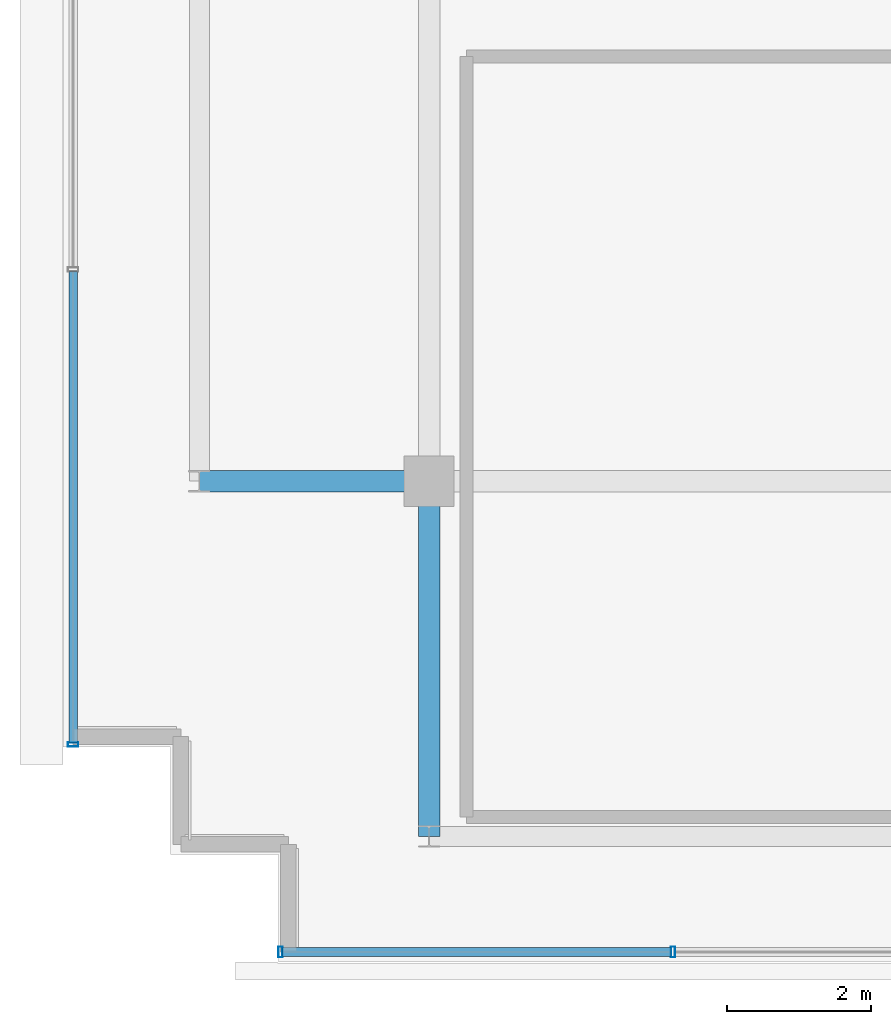
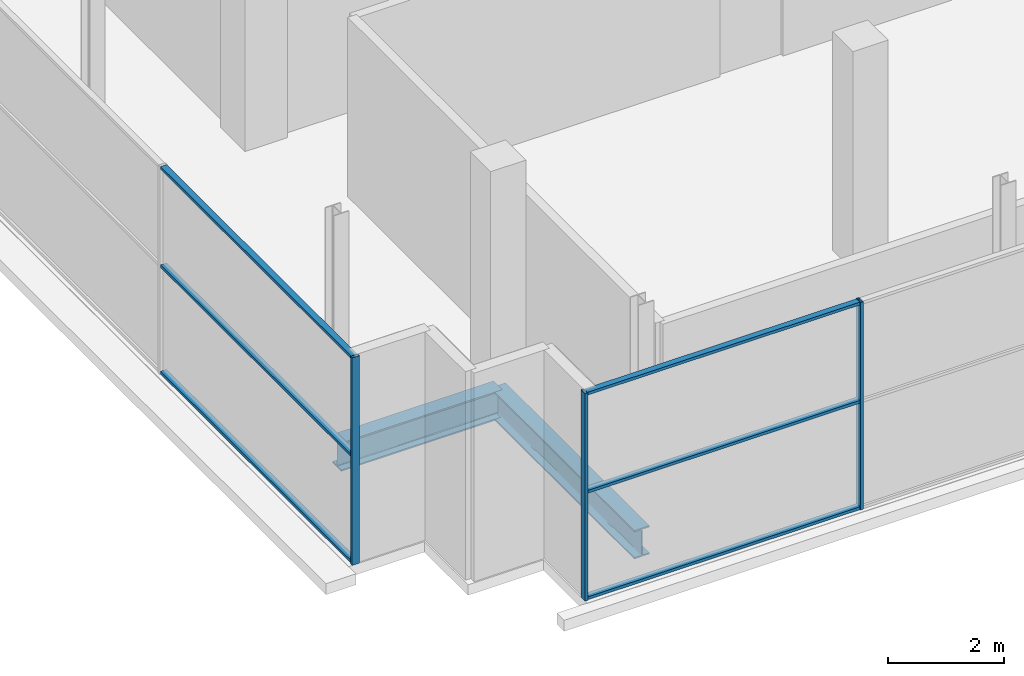
# One storey, part 3 of 26: 9 members, 2 beams, 2 elements without a shape of their own.
"""IFC4 building model written with IfcOpenShell, lengths in metres."""

import ifcopenshell
import ifcopenshell.guid

model = None  # the IFC model being written
_history = None  # IfcOwnerHistory: only IFC2X3 demands one
_inside = {}  # id of a spatial element -> (the spatial element, [elements in it])
_under = {}  # id of a project, library or spatial element -> (it, [spatial elements below it])
_declared = {}  # id of a project -> (the project, [libraries it declares])
_typed = {}  # id of a type object -> (the type object, [elements of that type])
_made_of = {}  # id of a material, layer set ... -> (it, [elements and type objects made of it])


def new_model(schema):
    """Start an empty IFC model of exactly this schema.

    Asked for "IFC4X3", IfcOpenShell would pick the latest addendum, in which some entities
    have other attributes; the version numbers below select the first issue.
    IFC2X3 requires an IfcOwnerHistory on every rooted entity: one is made here for all.
    """
    global model, _history
    if schema == "IFC4X3":
        model = ifcopenshell.file(schema_version=(4, 3, 0, 0))
    else:
        model = ifcopenshell.file(schema=schema)
    _inside.clear()
    _under.clear()
    _declared.clear()
    _typed.clear()
    _made_of.clear()
    _history = None
    if model.schema == "IFC2X3":
        org = make("IfcOrganization", Name="unknown")
        user = make(
            "IfcPersonAndOrganization",
            ThePerson=make("IfcPerson", FamilyName="unknown"),
            TheOrganization=org,
        )
        app = make(
            "IfcApplication",
            ApplicationDeveloper=org,
            Version="unknown",
            ApplicationFullName="unknown",
            ApplicationIdentifier="unknown",
        )
        _history = make(
            "IfcOwnerHistory",
            OwningUser=user,
            OwningApplication=app,
            ChangeAction="ADDED",
            CreationDate=0,
        )
    return model


def make(cls, **values):
    """One entity of the class cls with the attributes given. An attribute that is None is left unset."""
    return model.create_entity(
        cls, **{name: value for name, value in values.items() if value is not None}
    )


def rooted(cls, **values):
    """An entity with a GlobalId (a new one), such as an element, a storey or a relation."""
    return make(cls, GlobalId=ifcopenshell.guid.new(), OwnerHistory=_history, **values)


def si_unit(unit_type, name, prefix=None):
    """IfcSIUnit, for example si_unit("LENGTHUNIT", "METRE", prefix="MILLI")."""
    return make("IfcSIUnit", UnitType=unit_type, Prefix=prefix, Name=name)


def assignment(units):
    """IfcUnitAssignment: the units of a project."""
    return None if units is None else make("IfcUnitAssignment", Units=units)


def point(xyz):
    """IfcCartesianPoint."""
    return None if xyz is None else make("IfcCartesianPoint", Coordinates=xyz)


def direction(xyz):
    """IfcDirection."""
    return None if xyz is None else make("IfcDirection", DirectionRatios=xyz)


def frame(location, z_axis=None, x_axis=None):
    """IfcAxis2Placement3D, a coordinate frame: its origin and axes. An axis left out is left unset."""
    return make(
        "IfcAxis2Placement3D",
        Location=point(location),
        Axis=direction(z_axis),
        RefDirection=direction(x_axis),
    )


def frame_2d(location, x_axis=None):
    """IfcAxis2Placement2D, a coordinate frame in the plane: its origin and x axis."""
    return make(
        "IfcAxis2Placement2D", Location=point(location), RefDirection=direction(x_axis)
    )


def origin():
    """The frame at (0, 0, 0) with its axes left unset."""
    return frame((0.0, 0.0, 0.0))


def origin_2d():
    """The frame at (0, 0) in the plane with its x axis left unset."""
    return frame_2d((0.0, 0.0))


def place(relative_to, where):
    """IfcLocalPlacement: puts the frame where relative to a parent placement (None: the world)."""
    return make(
        "IfcLocalPlacement", PlacementRelTo=relative_to, RelativePlacement=where
    )


def context(
    kind, dimensions, precision=None, world=None, true_north=None, identifier=None
):
    """IfcGeometricRepresentationContext, for example the 3D "Model" context."""
    return make(
        "IfcGeometricRepresentationContext",
        ContextIdentifier=identifier,
        ContextType=kind,
        CoordinateSpaceDimension=dimensions,
        Precision=precision,
        WorldCoordinateSystem=world,
        TrueNorth=true_north,
    )


def subcontext(parent, identifier, kind, view, scale=None):
    """IfcGeometricRepresentationSubContext, for example "Body" below "Model"."""
    return make(
        "IfcGeometricRepresentationSubContext",
        ContextIdentifier=identifier,
        ContextType=kind,
        ParentContext=parent,
        TargetScale=scale,
        TargetView=view,
    )


def project(units=None, contexts=None):
    """IfcProject with its units and contexts."""
    return rooted(
        "IfcProject",
        Name="project",
        RepresentationContexts=contexts,
        UnitsInContext=assignment(units),
    )


def spatial(cls, under=None, at=None, **own):
    """A site, building, storey or space (cls), placed at a placement, below another one or the project."""
    s = rooted(cls, ObjectPlacement=at, **own)
    if under is not None:
        _under.setdefault(under.id(), (under, []))[1].append(s)
    return s


def profile(cls, at=None, kind="AREA", **sizes):
    """A parametric profile (cls). Its sizes go by their IFC names, for example OverallWidth=200.0."""
    return make(cls, ProfileType=kind, Position=at, **sizes)


def hollow_rectangle(**sizes):
    """IfcRectangleHollowProfileDef."""
    return profile("IfcRectangleHollowProfileDef", **sizes)


def i_section(**sizes):
    """IfcIShapeProfileDef."""
    return profile("IfcIShapeProfileDef", **sizes)


def extrude(swept, where, along, depth):
    """IfcExtrudedAreaSolid: the profile swept, set in the frame where, extruded along a direction by depth."""
    return make(
        "IfcExtrudedAreaSolid",
        SweptArea=swept,
        Position=where,
        ExtrudedDirection=direction(along),
        Depth=depth,
    )


def shape(context_of_items, identifier, shape_type, items):
    """IfcShapeRepresentation: the items that make up one representation, for example the "Body"."""
    return make(
        "IfcShapeRepresentation",
        ContextOfItems=context_of_items,
        RepresentationIdentifier=identifier,
        RepresentationType=shape_type,
        Items=items,
    )


def source(mapping_origin, context_of_items, identifier, shape_type, items):
    """IfcRepresentationMap: a shape defined once, which mapped items show again and again."""
    return make(
        "IfcRepresentationMap",
        MappingOrigin=mapping_origin,
        MappedRepresentation=shape(context_of_items, identifier, shape_type, items),
    )


def transform(
    local_origin,
    x_axis=None,
    y_axis=None,
    z_axis=None,
    scale=None,
    scale2=None,
    scale3=None,
    uniform=True,
):
    """IfcCartesianTransformationOperator3D, or its non-uniform kind. x_axis, y_axis, z_axis: its Axis1, 2, 3."""
    if uniform:
        return make(
            "IfcCartesianTransformationOperator3D",
            Axis1=direction(x_axis),
            Axis2=direction(y_axis),
            LocalOrigin=point(local_origin),
            Scale=scale,
            Axis3=direction(z_axis),
        )
    return make(
        "IfcCartesianTransformationOperator3DnonUniform",
        Axis1=direction(x_axis),
        Axis2=direction(y_axis),
        LocalOrigin=point(local_origin),
        Scale=scale,
        Axis3=direction(z_axis),
        Scale2=scale2,
        Scale3=scale3,
    )


def mapped(mapping_source, mapping_target):
    """IfcMappedItem: shows the shape of a source again, moved by a transform."""
    return make(
        "IfcMappedItem", MappingSource=mapping_source, MappingTarget=mapping_target
    )


def material(Name=None, Category=None):
    """IfcMaterial."""
    return make("IfcMaterial", Name=Name, Category=Category)


def layer(
    of_material, thickness, ventilated=None, Name=None, Category=None, Priority=None
):
    """IfcMaterialLayer: one layer of a wall or slab, of a material (None: an air gap)."""
    return make(
        "IfcMaterialLayer",
        Material=of_material,
        LayerThickness=thickness,
        IsVentilated=ventilated,
        Name=Name,
        Category=Category,
        Priority=Priority,
    )


def layer_set(layers, Name=None):
    """IfcMaterialLayerSet."""
    return make("IfcMaterialLayerSet", MaterialLayers=layers, LayerSetName=Name)


def material_profile(
    of_material, cross_section, Name=None, Category=None, Priority=None
):
    """IfcMaterialProfile: a cross section and its material."""
    return make(
        "IfcMaterialProfile",
        Name=Name,
        Material=of_material,
        Profile=cross_section,
        Priority=Priority,
        Category=Category,
    )


def profile_set(profiles, Name=None, composite=None):
    """IfcMaterialProfileSet."""
    return make(
        "IfcMaterialProfileSet",
        Name=Name,
        MaterialProfiles=profiles,
        CompositeProfile=composite,
    )


def made_of(thing, what):
    """Note that an element or type object is made of a material, layer set ...; save() writes the relation."""
    if what is not None:
        _made_of.setdefault(what.id(), (what, []))[1].append(thing)
    return thing


def type_object(cls, material=None, **own):
    """A type object (cls), such as IfcWallType, which elements share."""
    return made_of(rooted(cls, **own), material)


def element(
    cls,
    number,
    at=None,
    inside=None,
    cuts=None,
    type_object=None,
    material=None,
    context=None,
    identifier="Body",
    shape_type=None,
    held_by="IfcProductDefinitionShape",
    body=None,
    shapes=None,
    **own,
):
    """One element of the class cls, such as IfcWall. Its Tag is "e" and its number.

    at: its placement. inside: the storey or other place that contains it. cuts: it is an
    opening in that element (IfcRelVoidsElement). A single representation is given by context,
    identifier, shape_type and body (its items); several are given by shapes. held_by: the class
    of the entity that holds the representations. save() writes the other relations.
    """
    e = rooted(cls, Tag="e%d" % number, ObjectPlacement=at, **own)
    if body is not None:
        shapes = [shape(context, identifier, shape_type, body)]
    if shapes is not None:
        e.Representation = make(held_by, Representations=shapes)
    if inside is not None:
        _inside.setdefault(inside.id(), (inside, []))[1].append(e)
    if cuts is not None:
        rooted(
            "IfcRelVoidsElement", RelatingBuildingElement=cuts, RelatedOpeningElement=e
        )
    if type_object is not None:
        _typed.setdefault(type_object.id(), (type_object, []))[1].append(e)
    return made_of(e, material)


def aggregate(whole, parts):
    """IfcRelAggregates: a whole, such as a stair, and the parts it consists of."""
    return rooted("IfcRelAggregates", RelatingObject=whole, RelatedObjects=parts)


def save(model, path):
    """Write the relations noted so far, then the file.

    IfcRelAggregates (storeys below a building ...), IfcRelContainedInSpatialStructure (elements
    in a storey), IfcRelDefinesByType, IfcRelAssociatesMaterial and IfcRelDeclares: one each for
    every whole, place, type object, material and project.
    """
    for whole, parts in _under.values():
        aggregate(whole, parts)
    for where, things in _inside.values():
        rooted(
            "IfcRelContainedInSpatialStructure",
            RelatedElements=things,
            RelatingStructure=where,
        )
    for kind, things in _typed.values():
        rooted("IfcRelDefinesByType", RelatedObjects=things, RelatingType=kind)
    for what, things in _made_of.values():
        rooted("IfcRelAssociatesMaterial", RelatedObjects=things, RelatingMaterial=what)
    for by, libraries in _declared.values():
        rooted("IfcRelDeclares", RelatingContext=by, RelatedDefinitions=libraries)
    model.write(path)


model = new_model("IFC4")

# Units and contexts
model_context = context("Model", 3, precision=1e-05, world=origin(), true_north=direction((0.0, 1.0)))
body_context = subcontext(model_context, "Body", "Model", "MODEL_VIEW")
ifc_project = project(units=[si_unit("LENGTHUNIT", "METRE"), si_unit("AREAUNIT", "SQUARE_METRE"), si_unit("VOLUMEUNIT", "CUBIC_METRE"), si_unit("PLANEANGLEUNIT", "RADIAN"), si_unit("MASSUNIT", "GRAM", prefix="KILO")], contexts=[model_context])

# Site, building, storey
site_placement = place(None, origin())
site = spatial("IfcSite", under=ifc_project, at=site_placement, CompositionType="ELEMENT")
building_placement = place(site_placement, origin())
building = spatial("IfcBuilding", under=site, at=building_placement, Name="Zarnakvel Exchange Tower", CompositionType="ELEMENT")
storey_placement = place(building_placement, frame((0.0, 0.0, 280.800048828125)))
storey = spatial("IfcBuildingStorey", under=building, at=storey_placement, Name="Crown L79", CompositionType="ELEMENT", Elevation=280.800048828125)

# Beams
ifc_material_1 = material(Name="Steel S355", Category="steel")
ifc_material_profile_1 = material_profile(ifc_material_1, i_section(OverallWidth=0.300048828125, OverallDepth=0.60009765625, WebThickness=0.015380859375, FlangeThickness=0.030029296875, FilletRadius=0.027099609375, at=origin_2d()))
ifc_profile_set_1 = profile_set([ifc_material_profile_1], Name="Steel S355")
beam_type = type_object("IfcBeamType", Name="G-04", PredefinedType="BEAM", material=ifc_profile_set_1)
beam_1_placement = place(storey_placement, frame((-17.60009765625, -9.60009765625, -0.52001953125), z_axis=(1.0, 0.0, 0.0), x_axis=(0.0, 1.0, 0.0)))
element("IfcBeam", 1, at=beam_1_placement, inside=storey, type_object=beam_type, Name="Crown L79 Tower E-W Frame Beam", PredefinedType="BEAM", context=body_context, shape_type="SweptSolid", body=[
    extrude(i_section(OverallWidth=0.300048828125, OverallDepth=0.60009765625, WebThickness=0.015380859375, FlangeThickness=0.030029296875, FilletRadius=0.027099609375, at=origin_2d()), origin(), (0.0, 0.0, 1.0), 3.2001953125),
])
beam_2_placement = place(storey_placement, frame((-14.39990234375, -14.550048828125, -0.52001953125), z_axis=(0.0, 1.0, 0.0), x_axis=(-1.0, 0.0, 0.0)))
element("IfcBeam", 2, at=beam_2_placement, inside=storey, type_object=beam_type, Name="Crown L79 Tower N-S Frame Beam", PredefinedType="BEAM", context=body_context, shape_type="SweptSolid", body=[
    extrude(i_section(OverallWidth=0.300048828125, OverallDepth=0.60009765625, WebThickness=0.015380859375, FlangeThickness=0.030029296875, FilletRadius=0.027099609375, at=origin_2d()), origin(), (0.0, 0.0, 1.0), 4.949951171875),
])

# Curtain wall, members
ifc_material_2 = material(Name="Architectural Bronze Anodised Aluminium", Category="aluminium")
ifc_layer = layer(ifc_material_2, 0.14990234375)
ifc_layer_set = layer_set([ifc_layer], Name="Architectural Bronze Anodised Aluminium")
curtain_wall_type = type_object("IfcCurtainWallType", Name="CW-07", PredefinedType="NOTDEFINED", material=ifc_layer_set)
curtain_wall_1_placement = place(storey_placement, origin())
curtain_wall_1 = element("IfcCurtainWall", 3, at=curtain_wall_1_placement, inside=storey, type_object=curtain_wall_type, Name="Crown L79 Curtain Wall CW-Crown L79-S (CW-07)", PredefinedType="NOTDEFINED")
ifc_material_profile_2 = material_profile(ifc_material_2, hollow_rectangle(XDim=0.14990234375, YDim=0.06005859375, WallThickness=0.00390625, at=origin_2d()))
ifc_profile_set_2 = profile_set([ifc_material_profile_2], Name="Architectural Bronze Anodised Aluminium")
member_type_1 = type_object("IfcMemberType", Name="CWM-07", PredefinedType="MULLION", material=ifc_profile_set_2)
shared_shape_1 = source(origin(), body_context, "Body", "SweptSolid", [
    extrude(hollow_rectangle(XDim=0.14990234375, YDim=0.06005859375, WallThickness=0.00390625, at=origin_2d()), origin(), (0.0, 0.0, 1.0), 4.35986328125),
])
member_1_placement = place(storey_placement, frame((-16.469970703125, -16.159912109375, 0.0), z_axis=(0.0, 0.0, 1.0), x_axis=(0.0, 1.0, 0.0)))
member_1 = element("IfcMember", 4, at=member_1_placement, type_object=member_type_1, Name="CW-07 mullion 1", PredefinedType="MULLION", context=body_context, shape_type="MappedRepresentation", body=[
    mapped(shared_shape_1, transform((0.0, 0.0, 0.0), x_axis=(1.0, 0.0, 0.0), y_axis=(0.0, 1.0, 0.0), z_axis=(0.0, 0.0, 1.0), scale=1.0)),
])
member_2_placement = place(storey_placement, frame((-11.0, -16.159912109375, 0.0), z_axis=(0.0, 0.0, 1.0), x_axis=(0.0, 1.0, 0.0)))
member_2 = element("IfcMember", 5, at=member_2_placement, type_object=member_type_1, Name="CW-07 mullion 2", PredefinedType="MULLION", context=body_context, shape_type="MappedRepresentation", body=[
    mapped(shared_shape_1, transform((0.0, 0.0, 0.0), x_axis=(1.0, 0.0, 0.0), y_axis=(0.0, 1.0, 0.0), z_axis=(0.0, 0.0, 1.0), scale=1.0)),
])

# Curtain wall, member
curtain_wall_2_placement = place(storey_placement, origin())
curtain_wall_2 = element("IfcCurtainWall", 6, at=curtain_wall_2_placement, inside=storey, type_object=curtain_wall_type, Name="Crown L79 Curtain Wall CW-Crown L79-W (CW-07)", PredefinedType="NOTDEFINED")
member_3_placement = place(storey_placement, frame((-19.360107421875, -13.27001953125, 0.0), z_axis=(0.0, 0.0, 1.0), x_axis=(-1.0, 0.0, 0.0)))
member_3 = element("IfcMember", 7, at=member_3_placement, type_object=member_type_1, Name="CW-07 mullion 1", PredefinedType="MULLION", context=body_context, shape_type="MappedRepresentation", body=[
    mapped(shared_shape_1, transform((0.0, 0.0, 0.0), x_axis=(1.0, 0.0, 0.0), y_axis=(0.0, 1.0, 0.0), z_axis=(0.0, 0.0, 1.0), scale=1.0)),
])

# Member
ifc_material_profile_3 = material_profile(ifc_material_2, hollow_rectangle(XDim=0.1201171875, YDim=0.06005859375, WallThickness=0.00390625, at=origin_2d()))
ifc_profile_set_3 = profile_set([ifc_material_profile_3], Name="Architectural Bronze Anodised Aluminium")
member_type_2 = type_object("IfcMemberType", Name="CWT-07", PredefinedType="USERDEFINED", material=ifc_profile_set_3)
shared_shape_2 = source(origin(), body_context, "Body", "SweptSolid", [
    extrude(hollow_rectangle(XDim=0.1201171875, YDim=0.06005859375, WallThickness=0.00390625, at=origin_2d()), origin(), (0.0, 0.0, 1.0), 5.409912109375),
])
member_4_placement = place(storey_placement, frame((-16.43994140625, -16.159912109375, 0.030029296875), z_axis=(1.0, 0.0, 0.0), x_axis=(0.0, 1.0, 0.0)))
member_4 = element("IfcMember", 8, at=member_4_placement, type_object=member_type_2, Name="CW-07 transom 1.1", ObjectType="TRANSOM", PredefinedType="USERDEFINED", context=body_context, shape_type="MappedRepresentation", body=[
    mapped(shared_shape_2, transform((0.0, 0.0, 0.0), x_axis=(1.0, 0.0, 0.0), y_axis=(0.0, 1.0, 0.0), z_axis=(0.0, 0.0, 1.0), scale=1.0)),
])

member_5_placement = place(storey_placement, frame((-16.43994140625, -16.159912109375, 2.26708984375), z_axis=(1.0, 0.0, 0.0), x_axis=(0.0, 1.0, 0.0)))
member_5 = element("IfcMember", 9, at=member_5_placement, type_object=member_type_2, Name="CW-07 transom 1.2", ObjectType="TRANSOM", PredefinedType="USERDEFINED", context=body_context, shape_type="MappedRepresentation", body=[
    mapped(shared_shape_2, transform((0.0, 0.0, 0.0), x_axis=(1.0, 0.0, 0.0), y_axis=(0.0, 1.0, 0.0), z_axis=(0.0, 0.0, 1.0), scale=1.0)),
])

member_6_placement = place(storey_placement, frame((-16.43994140625, -16.159912109375, 4.329833984375), z_axis=(1.0, 0.0, 0.0), x_axis=(0.0, 1.0, 0.0)))
member_6 = element("IfcMember", 10, at=member_6_placement, type_object=member_type_2, Name="CW-07 transom 1.3", ObjectType="TRANSOM", PredefinedType="USERDEFINED", context=body_context, shape_type="MappedRepresentation", body=[
    mapped(shared_shape_2, transform((0.0, 0.0, 0.0), x_axis=(1.0, 0.0, 0.0), y_axis=(0.0, 1.0, 0.0), z_axis=(0.0, 0.0, 1.0), scale=1.0)),
])

aggregate(curtain_wall_1, [member_1, member_2, member_4, member_5, member_6])

shared_shape_3 = source(origin(), body_context, "Body", "SweptSolid", [
    extrude(hollow_rectangle(XDim=0.1201171875, YDim=0.06005859375, WallThickness=0.00390625, at=origin_2d()), origin(), (0.0, 0.0, 1.0), 6.56005859375),
])
member_7_placement = place(storey_placement, frame((-19.360107421875, -13.239990234375, 0.030029296875), z_axis=(0.0, 1.0, 0.0), x_axis=(-1.0, 0.0, 0.0)))
member_7 = element("IfcMember", 11, at=member_7_placement, type_object=member_type_2, Name="CW-07 transom 1.1", ObjectType="TRANSOM", PredefinedType="USERDEFINED", context=body_context, shape_type="MappedRepresentation", body=[
    mapped(shared_shape_3, transform((0.0, 0.0, 0.0), x_axis=(1.0, 0.0, 0.0), y_axis=(0.0, 1.0, 0.0), z_axis=(0.0, 0.0, 1.0), scale=1.0)),
])

member_8_placement = place(storey_placement, frame((-19.360107421875, -13.239990234375, 2.26708984375), z_axis=(0.0, 1.0, 0.0), x_axis=(-1.0, 0.0, 0.0)))
member_8 = element("IfcMember", 12, at=member_8_placement, type_object=member_type_2, Name="CW-07 transom 1.2", ObjectType="TRANSOM", PredefinedType="USERDEFINED", context=body_context, shape_type="MappedRepresentation", body=[
    mapped(shared_shape_3, transform((0.0, 0.0, 0.0), x_axis=(1.0, 0.0, 0.0), y_axis=(0.0, 1.0, 0.0), z_axis=(0.0, 0.0, 1.0), scale=1.0)),
])

member_9_placement = place(storey_placement, frame((-19.360107421875, -13.239990234375, 4.329833984375), z_axis=(0.0, 1.0, 0.0), x_axis=(-1.0, 0.0, 0.0)))
member_9 = element("IfcMember", 13, at=member_9_placement, type_object=member_type_2, Name="CW-07 transom 1.3", ObjectType="TRANSOM", PredefinedType="USERDEFINED", context=body_context, shape_type="MappedRepresentation", body=[
    mapped(shared_shape_3, transform((0.0, 0.0, 0.0), x_axis=(1.0, 0.0, 0.0), y_axis=(0.0, 1.0, 0.0), z_axis=(0.0, 0.0, 1.0), scale=1.0)),
])

aggregate(curtain_wall_2, [member_3, member_7, member_8, member_9])

save(model, "model.ifc")
